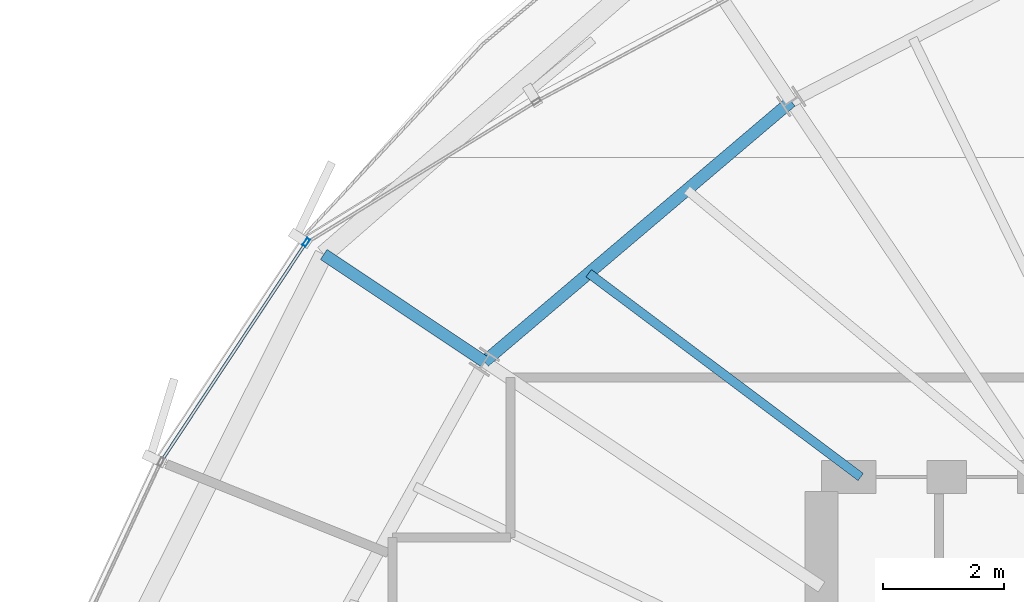
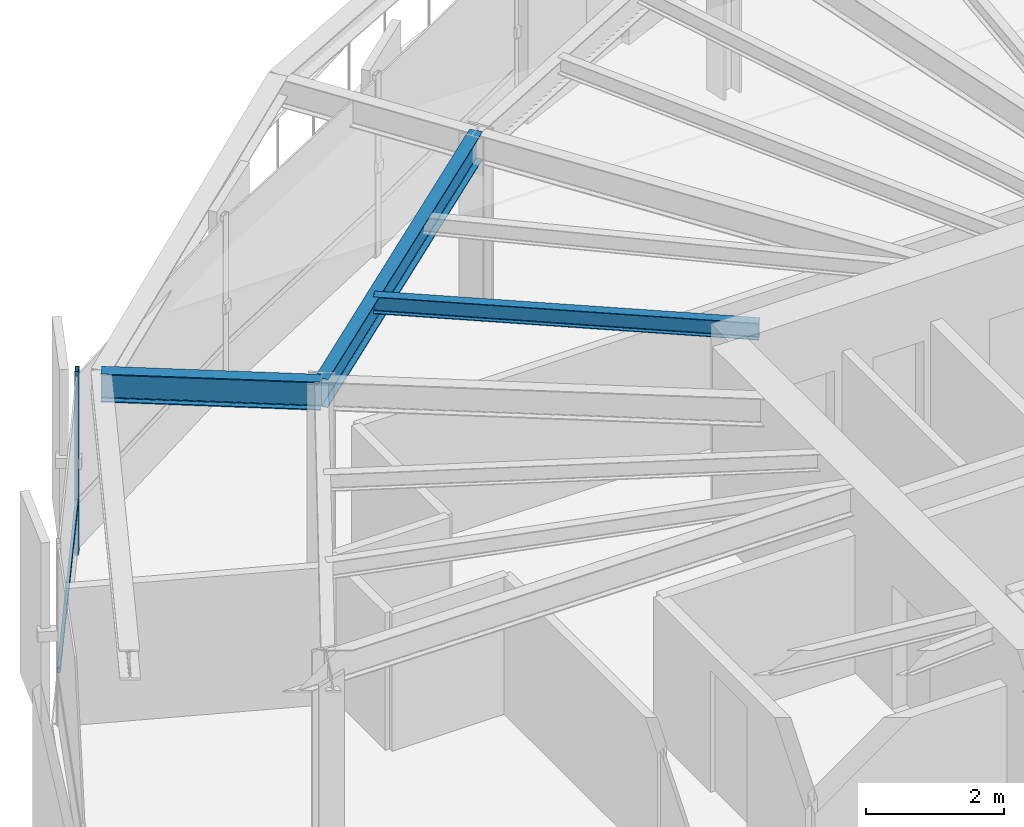
# One storey, part 18 of 33: 3 beams, 2 members, 1 element without a shape of its own.
"""IFC4 building model written with IfcOpenShell, lengths in metres."""

from ifc_helpers import new_model, si_unit, direction, frame, origin, origin_2d, place, context, subcontext, project, spatial, hollow_rectangle, i_section, extrude, source, transform, mapped, material, layer, layer_set, material_profile, profile_set, type_object, element, aggregate, save


model = new_model("IFC4")

# Units and contexts
model_context = context("Model", 3, precision=1e-05, world=origin(), true_north=direction((0.0, 1.0)))
body_context = subcontext(model_context, "Body", "Model", "MODEL_VIEW")
ifc_project = project(units=[si_unit("LENGTHUNIT", "METRE"), si_unit("AREAUNIT", "SQUARE_METRE"), si_unit("VOLUMEUNIT", "CUBIC_METRE"), si_unit("PLANEANGLEUNIT", "RADIAN"), si_unit("MASSUNIT", "GRAM", prefix="KILO"), si_unit("THERMODYNAMICTEMPERATUREUNIT", "KELVIN")], contexts=[model_context])

# Site, building, storey
site_placement = place(None, origin())
site = spatial("IfcSite", under=ifc_project, at=site_placement, CompositionType="ELEMENT")
building_placement = place(site_placement, origin())
building = spatial("IfcBuilding", under=site, at=building_placement, Name="Kethvar Cultural Tower", CompositionType="ELEMENT")
storey_placement = place(building_placement, frame((0.0, 0.0, 211.39990234375)))
storey = spatial("IfcBuildingStorey", under=building, at=storey_placement, Name="L55", CompositionType="ELEMENT", Elevation=211.39990234375)

# Beams
ifc_material_1 = material(Name="Steel S355J2", Category="steel")
ifc_material_profile_1 = material_profile(ifc_material_1, i_section(OverallWidth=0.199951171875, OverallDepth=0.5, WebThickness=0.01025390625, FlangeThickness=0.01611328125, FilletRadius=0.02099609375, at=origin_2d()), Name="Steel S355J2 — IPE500")
ifc_profile_set_1 = profile_set([ifc_material_profile_1], Name="Steel S355J2 — IPE500")
beam_type_1 = type_object("IfcBeamType", Name="BM-IPE500", PredefinedType="BEAM", material=ifc_profile_set_1)
shared_shape_1 = source(origin(), body_context, "Body", "SweptSolid", [
    extrude(i_section(OverallWidth=0.199951171875, OverallDepth=0.5, WebThickness=0.01025390625, FlangeThickness=0.01611328125, FilletRadius=0.02099609375, at=origin_2d()), origin(), (0.0, 0.0, 1.0), 3.199951171875),
])
beam_1_placement = place(storey_placement, frame((32.418212890625, 37.409423828125, 3.008056640625), z_axis=(-0.831462943996, 0.555580212716, 0.0), x_axis=(-0.555580212716, -0.831462943996, 0.0)))
element("IfcBeam", 1, at=beam_1_placement, inside=storey, type_object=beam_type_1, Name="L55 Perimeter Cantilever Beam RC-07", PredefinedType="BEAM", context=body_context, shape_type="MappedRepresentation", body=[
    mapped(shared_shape_1, transform((0.0, 0.0, 0.0), scale=1.0)),
])
shared_shape_2 = source(origin(), body_context, "Body", "SweptSolid", [
    extrude(i_section(OverallWidth=0.199951171875, OverallDepth=0.5, WebThickness=0.01025390625, FlangeThickness=0.01611328125, FilletRadius=0.02099609375, at=origin_2d()), origin(), (0.0, 0.0, 1.0), 6.6630859375),
])
beam_2_placement = place(storey_placement, frame((37.498779296875, 41.720458984375, 3.008056640625), z_axis=(-0.762490511547, -0.646999397064, 0.0), x_axis=(0.646999397064, -0.762490511547, 0.0)))
element("IfcBeam", 2, at=beam_2_placement, inside=storey, type_object=beam_type_1, Name="L55 Column Ring Tie Beam CR-06", PredefinedType="BEAM", context=body_context, shape_type="MappedRepresentation", body=[
    mapped(shared_shape_2, transform((0.0, 0.0, 0.0), scale=1.0)),
])
ifc_material_profile_2 = material_profile(ifc_material_1, i_section(OverallWidth=0.14990234375, OverallDepth=0.300048828125, WebThickness=0.007080078125, FlangeThickness=0.0107421875, FilletRadius=0.014892578125, at=origin_2d()), Name="Steel S355J2 — IPE300")
ifc_profile_set_2 = profile_set([ifc_material_profile_2], Name="Steel S355J2 — IPE300")
beam_type_2 = type_object("IfcBeamType", Name="BM-J300", PredefinedType="JOIST", material=ifc_profile_set_2)
shared_shape_3 = source(origin(), body_context, "Body", "SweptSolid", [
    extrude(i_section(OverallWidth=0.14990234375, OverallDepth=0.300048828125, WebThickness=0.007080078125, FlangeThickness=0.0107421875, FilletRadius=0.014892578125, at=origin_2d()), origin(), (0.0, 0.0, 1.0), 5.628662109375),
])
beam_3_placement = place(storey_placement, frame((38.64990234375, 35.5, 3.108154296875), z_axis=(-0.800260171956, 0.599652947279, 0.0), x_axis=(-0.599652947279, -0.800260171956, 0.0)))
element("IfcBeam", 3, at=beam_3_placement, inside=storey, type_object=beam_type_2, Name="L55 Composite Floor Joist J-06B", PredefinedType="JOIST", context=body_context, shape_type="MappedRepresentation", body=[
    mapped(shared_shape_3, transform((0.0, 0.0, 0.0), scale=1.0)),
])

# Curtain wall, members
ifc_material_2 = material(Name="Aluminium 6063-T6", Category="aluminium")
ifc_layer = layer(ifc_material_2, 0.179931640625, Name="Aluminium 6063-T6", Category="aluminium")
ifc_layer_set = layer_set([ifc_layer], Name="Aluminium 6063-T6 (180 mm)")
curtain_wall_type = type_object("IfcCurtainWallType", Name="CW-SYS-04-Z34", PredefinedType="NOTDEFINED", material=ifc_layer_set)
curtain_wall_placement = place(storey_placement, origin())
curtain_wall = element("IfcCurtainWall", 4, at=curtain_wall_placement, inside=storey, type_object=curtain_wall_type, Name="L55 Curtain Wall Run 02", PredefinedType="NOTDEFINED")
ifc_material_profile_3 = material_profile(ifc_material_2, hollow_rectangle(XDim=0.050048828125, YDim=0.10009765625, WallThickness=0.00390625, at=origin_2d()), Name="Aluminium 6063-T6 — RHS100x50x4")
ifc_profile_set_3 = profile_set([ifc_material_profile_3], Name="Aluminium 6063-T6 — RHS100x50x4")
member_type_1 = type_object("IfcMemberType", Name="CW-SYS-04-Z34-TRN", PredefinedType="USERDEFINED", material=ifc_profile_set_3)
shared_shape_4 = source(origin(), body_context, "Body", "SweptSolid", [
    extrude(hollow_rectangle(XDim=0.050048828125, YDim=0.10009765625, WallThickness=0.00390625, at=origin_2d()), origin(), (0.0, 0.0, 1.0), 4.288330078125),
])
member_1_placement = place(storey_placement, frame((29.444580078125, 39.349853515625, 0.9501953125), z_axis=(-0.552122480517, -0.833763015795, 0.0), x_axis=(0.833763015795, -0.552122480517, 0.0)))
member_1 = element("IfcMember", 5, at=member_1_placement, type_object=member_type_1, Name="CW-L55-R02 Transom 4", ObjectType="TRANSOM", PredefinedType="USERDEFINED", context=body_context, shape_type="MappedRepresentation", body=[
    mapped(shared_shape_4, transform((0.0, 0.0, 0.0), scale=1.0)),
])
ifc_material_profile_4 = material_profile(ifc_material_2, hollow_rectangle(XDim=0.06005859375, YDim=0.139892578125, WallThickness=0.0048828125, at=origin_2d()), Name="Aluminium 6063-T6 — RHS140x60x5")
ifc_profile_set_4 = profile_set([ifc_material_profile_4], Name="Aluminium 6063-T6 — RHS140x60x5")
member_type_2 = type_object("IfcMemberType", Name="CW-SYS-04-Z34-MUL", PredefinedType="MULLION", material=ifc_profile_set_4)
shared_shape_5 = source(origin(), body_context, "Body", "SweptSolid", [
    extrude(hollow_rectangle(XDim=0.06005859375, YDim=0.139892578125, WallThickness=0.0048828125, at=origin_2d()), origin(), (0.0, 0.0, 1.0), 3.260009765625),
])
member_2_placement = place(storey_placement, frame((29.468505859375, 39.385986328125, 0.0), z_axis=(0.0, 0.0, 1.0), x_axis=(0.833779842406, -0.552097069724, 0.0)))
member_2 = element("IfcMember", 6, at=member_2_placement, type_object=member_type_2, Name="CW-L55-R02 Mullion 4", PredefinedType="MULLION", context=body_context, shape_type="MappedRepresentation", body=[
    mapped(shared_shape_5, transform((0.0, 0.0, 0.0), scale=1.0)),
])
aggregate(curtain_wall, [member_2, member_1])

save(model, "model.ifc")
